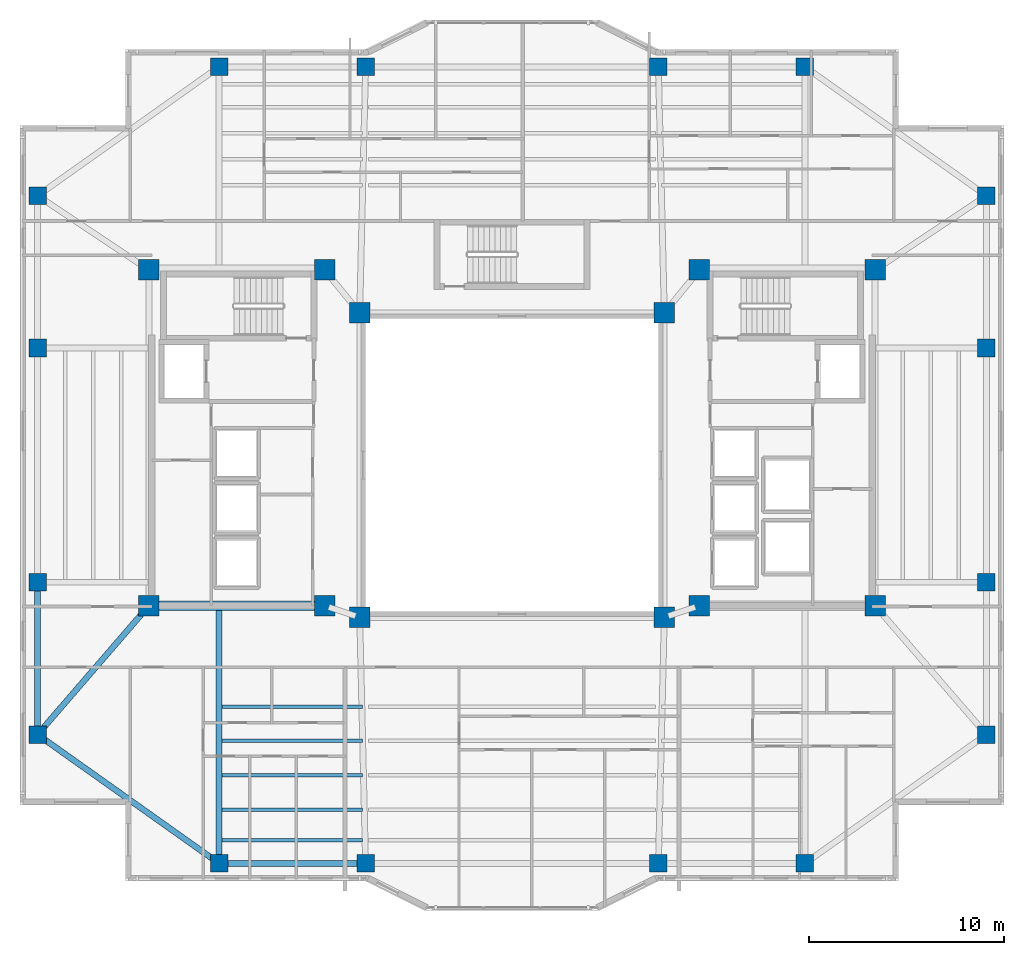
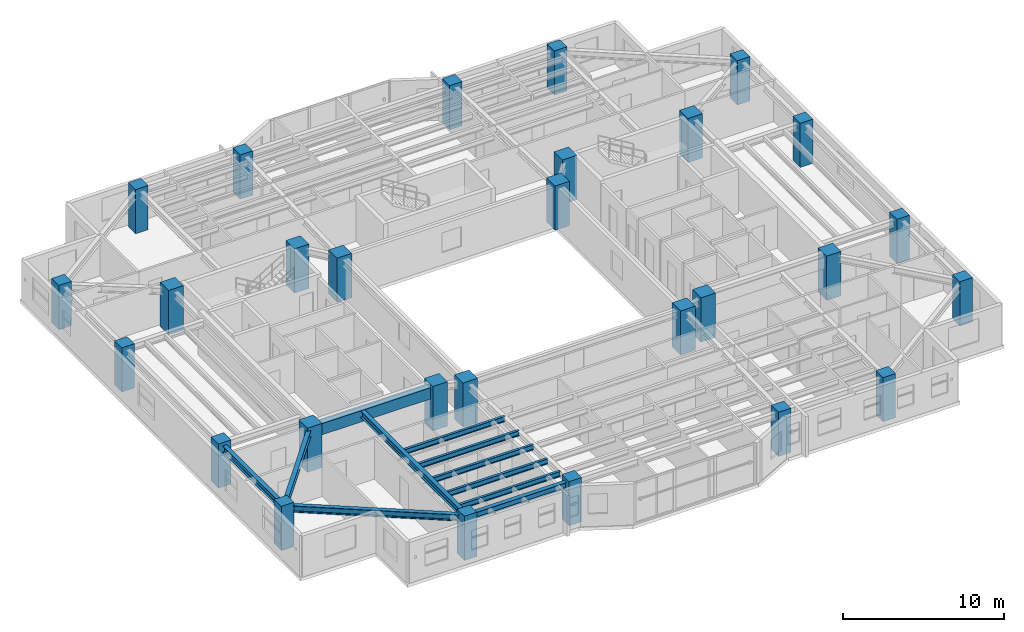
# One storey, part 1 of 16: 28 columns, 11 beams.
"""IFC4 building model written with IfcOpenShell, lengths in metres."""

from ifc_helpers import new_model, si_unit, direction, frame, origin, origin_2d, place, context, subcontext, project, spatial, rectangle, i_section, extrude, material, material_profile, profile_set, type_object, element, save


model = new_model("IFC4")

# Units and contexts
model_context = context("Model", 3, precision=1e-05, world=origin(), true_north=direction((0.0, 1.0)))
body_context = subcontext(model_context, "Body", "Model", "MODEL_VIEW")
ifc_project = project(units=[si_unit("LENGTHUNIT", "METRE"), si_unit("AREAUNIT", "SQUARE_METRE"), si_unit("VOLUMEUNIT", "CUBIC_METRE"), si_unit("PLANEANGLEUNIT", "RADIAN"), si_unit("MASSUNIT", "GRAM", prefix="KILO")], contexts=[model_context])

# Site, building, storey
site_placement = place(None, origin())
site = spatial("IfcSite", under=ifc_project, at=site_placement, CompositionType="ELEMENT")
building_placement = place(site_placement, origin())
building = spatial("IfcBuilding", under=site, at=building_placement, Name="Tarnavaz Court Tower", CompositionType="ELEMENT")
storey_placement = place(building_placement, frame((0.0, 0.0, 146.0)))
storey = spatial("IfcBuildingStorey", under=building, at=storey_placement, Name="L39", CompositionType="ELEMENT", Elevation=146.0)

# Columns
ifc_material_1 = material(Name="Concrete C60/75", Category="concrete")
ifc_material_profile_1 = material_profile(ifc_material_1, rectangle(XDim=1.050048828125, YDim=1.050048828125, at=origin_2d()), Name="RC 1050X1050")
ifc_profile_set_1 = profile_set([ifc_material_profile_1], Name="Concrete C60/75")
column_type_1 = type_object("IfcColumnType", Name="CL-RC1050", PredefinedType="COLUMN", material=ifc_profile_set_1)
for number, where, z_axis, x_axis, name in (
    (1, (-7.800048828125, -7.800048828125, 0.0), (0.0, 0.0, 1.0), (1.0, 0.0, 0.0), "L39 Column IW-SW"),
    (2, (7.800048828125, -7.800048828125, 0.0), (0.0, 0.0, 1.0), (1.0, 0.0, 0.0), "L39 Column IW-SE"),
    (3, (-7.800048828125, 7.800048828125, 0.0), (0.0, 0.0, 1.0), (1.0, 0.0, 0.0), "L39 Column IW-NW"),
    (4, (7.800048828125, 7.800048828125, 0.0), (0.0, 0.0, 1.0), (1.0, 0.0, 0.0), "L39 Column IW-NE"),
    (5, (-9.60009765625, -7.199951171875, 0.0), (0.0, 0.0, 1.0), (1.0, 0.0, 0.0), "L39 Column CW-SI"),
    (6, (-9.60009765625, 10.0, 0.0), (0.0, 0.0, 1.0), (1.0, 0.0, 0.0), "L39 Column CW-NI"),
    (7, (9.60009765625, -7.199951171875, 0.0), (0.0, 0.0, 1.0), (1.0, 0.0, 0.0), "L39 Column CE-SI"),
    (8, (9.60009765625, 10.0, 0.0), (0.0, 0.0, 1.0), (1.0, 0.0, 0.0), "L39 Column CE-NI"),
    (9, (-18.60009765625, -7.199951171875, 0.0), (0.0, 0.0, 1.0), (1.0, 0.0, 0.0), "L39 Column CW-SO"),
    (10, (-18.60009765625, 10.0, 0.0), (0.0, 0.0, 1.0), (1.0, 0.0, 0.0), "L39 Column CW-NO"),
    (11, (18.60009765625, -7.199951171875, 0.0), (0.0, 0.0, 1.0), (1.0, 0.0, 0.0), "L39 Column CE-SO"),
    (12, (18.60009765625, 10.0, 0.0), (0.0, 0.0, 1.0), (1.0, 0.0, 0.0), "L39 Column CE-NO"),
):
    element("IfcColumn", number, at=place(storey_placement, frame(where, z_axis=z_axis, x_axis=x_axis)), inside=storey, type_object=column_type_1, Name=name, PredefinedType="COLUMN", context=body_context, shape_type="SweptSolid", body=[
        extrude(rectangle(XDim=1.050048828125, YDim=1.050048828125, at=origin_2d()), origin(), (0.0, 0.0, 1.0), 3.35009765625),
    ])
ifc_material_2 = material(Name="Concrete C50/60", Category="concrete")
ifc_material_profile_2 = material_profile(ifc_material_2, rectangle(XDim=0.89990234375, YDim=0.89990234375, at=origin_2d()), Name="RC 900X900")
ifc_profile_set_2 = profile_set([ifc_material_profile_2], Name="Concrete C50/60")
column_type_2 = type_object("IfcColumnType", Name="CL-RC900", PredefinedType="COLUMN", material=ifc_profile_set_2)
for number, where, z_axis, x_axis, name in (
    (13, (-15.0, 20.39990234375, 0.0), (0.0, 0.0, 1.0), (1.0, 0.0, 0.0), "L39 Column PN-1"),
    (14, (-7.5, 20.39990234375, 0.0), (0.0, 0.0, 1.0), (1.0, 0.0, 0.0), "L39 Column PN-2"),
    (15, (7.5, 20.39990234375, 0.0), (0.0, 0.0, 1.0), (1.0, 0.0, 0.0), "L39 Column PN-3"),
    (16, (15.0, 20.39990234375, 0.0), (0.0, 0.0, 1.0), (1.0, 0.0, 0.0), "L39 Column PN-4"),
    (17, (-15.0, -20.39990234375, 0.0), (0.0, 0.0, 1.0), (1.0, 0.0, 0.0), "L39 Column PS-1"),
    (18, (-7.5, -20.39990234375, 0.0), (0.0, 0.0, 1.0), (1.0, 0.0, 0.0), "L39 Column PS-2"),
    (19, (7.5, -20.39990234375, 0.0), (0.0, 0.0, 1.0), (1.0, 0.0, 0.0), "L39 Column PS-3"),
    (20, (15.0, -20.39990234375, 0.0), (0.0, 0.0, 1.0), (1.0, 0.0, 0.0), "L39 Column PS-4"),
    (21, (24.300048828125, -13.800048828125, 0.0), (0.0, 0.0, 1.0), (1.0, 0.0, 0.0), "L39 Column PE-1"),
    (22, (24.300048828125, -6.0, 0.0), (0.0, 0.0, 1.0), (1.0, 0.0, 0.0), "L39 Column PE-2"),
    (23, (24.300048828125, 6.0, 0.0), (0.0, 0.0, 1.0), (1.0, 0.0, 0.0), "L39 Column PE-3"),
    (24, (24.300048828125, 13.800048828125, 0.0), (0.0, 0.0, 1.0), (1.0, 0.0, 0.0), "L39 Column PE-4"),
    (25, (-24.300048828125, -13.800048828125, 0.0), (0.0, 0.0, 1.0), (1.0, 0.0, 0.0), "L39 Column PW-1"),
    (26, (-24.300048828125, -6.0, 0.0), (0.0, 0.0, 1.0), (1.0, 0.0, 0.0), "L39 Column PW-2"),
    (27, (-24.300048828125, 6.0, 0.0), (0.0, 0.0, 1.0), (1.0, 0.0, 0.0), "L39 Column PW-3"),
    (28, (-24.300048828125, 13.800048828125, 0.0), (0.0, 0.0, 1.0), (1.0, 0.0, 0.0), "L39 Column PW-4"),
):
    element("IfcColumn", number, at=place(storey_placement, frame(where, z_axis=z_axis, x_axis=x_axis)), inside=storey, type_object=column_type_2, Name=name, PredefinedType="COLUMN", context=body_context, shape_type="SweptSolid", body=[
        extrude(rectangle(XDim=0.89990234375, YDim=0.89990234375, at=origin_2d()), origin(), (0.0, 0.0, 1.0), 3.35009765625),
    ])

# Beams
ifc_material_profile_3 = material_profile(ifc_material_2, rectangle(XDim=0.5, YDim=0.85009765625, at=origin_2d()), Name="RC 500X850")
ifc_profile_set_3 = profile_set([ifc_material_profile_3], Name="Concrete C50/60")
beam_type_1 = type_object("IfcBeamType", Name="BM-CB850", PredefinedType="LINTEL", material=ifc_profile_set_3)
beam_1_placement = place(storey_placement, frame((-18.3798828125, -7.199951171875, 2.675048828125), z_axis=(1.0, 0.0, 0.0), x_axis=(0.0, 1.0, 0.0)))
element("IfcBeam", 29, at=beam_1_placement, inside=storey, type_object=beam_type_1, Name="L39 Beam IN-CW-SO-CW-SI", PredefinedType="LINTEL", context=body_context, shape_type="SweptSolid", body=[
    extrude(rectangle(XDim=0.5, YDim=0.85009765625, at=origin_2d()), origin(), (0.0, 0.0, 1.0), 8.559814453125),
])
ifc_material_3 = material(Name="Steel S355", Category="steel")
ifc_material_profile_4 = material_profile(ifc_material_3, i_section(OverallWidth=0.300048828125, OverallDepth=0.5, WebThickness=0.014404296875, FlangeThickness=0.028076171875, FilletRadius=0.027099609375, at=origin_2d()), Name="HEB 500")
ifc_profile_set_4 = profile_set([ifc_material_profile_4], Name="Steel S355")
beam_type_2 = type_object("IfcBeamType", Name="BM-G-HEB500", PredefinedType="USERDEFINED", material=ifc_profile_set_4)
beam_2_placement = place(storey_placement, frame((-15.0, -7.239990234375, 2.85009765625), z_axis=(0.0, -1.0, 0.0), x_axis=(1.0, 0.0, 0.0)))
element("IfcBeam", 30, at=beam_2_placement, inside=storey, type_object=beam_type_2, Name="L39 Beam RG-05", ObjectType="GIRDER", PredefinedType="USERDEFINED", context=body_context, shape_type="SweptSolid", body=[
    extrude(i_section(OverallWidth=0.300048828125, OverallDepth=0.5, WebThickness=0.014404296875, FlangeThickness=0.028076171875, FilletRadius=0.027099609375, at=origin_2d()), origin(), (0.0, 0.0, 1.0), 12.93994140625),
])
beam_3_placement = place(storey_placement, frame((-18.743896484375, -7.366455078125, 2.85009765625), z_axis=(-0.653610659012, -0.756830962914, 0.0), x_axis=(0.756830962914, -0.653610659012, 0.0)))
element("IfcBeam", 31, at=beam_3_placement, inside=storey, type_object=beam_type_2, Name="L39 Beam RG-15", ObjectType="GIRDER", PredefinedType="USERDEFINED", context=body_context, shape_type="SweptSolid", body=[
    extrude(i_section(OverallWidth=0.300048828125, OverallDepth=0.5, WebThickness=0.014404296875, FlangeThickness=0.028076171875, FilletRadius=0.027099609375, at=origin_2d()), origin(), (0.0, 0.0, 1.0), 8.28076171875),
])
ifc_material_profile_5 = material_profile(ifc_material_3, i_section(OverallWidth=0.179931640625, OverallDepth=0.39990234375, WebThickness=0.008544921875, FlangeThickness=0.013427734375, FilletRadius=0.02099609375, at=origin_2d()), Name="IPE 400")
ifc_profile_set_5 = profile_set([ifc_material_profile_5], Name="Steel S355")
beam_type_3 = type_object("IfcBeamType", Name="BM-J-IPE400", PredefinedType="JOIST", material=ifc_profile_set_5)
for number, where, z_axis, x_axis, name in (
    (32, (-14.85009765625, -12.364013671875, 2.89990234375), (1.0, 0.0, 0.0), (0.0, 1.0, 0.0), "L39 Beam JS1-1"),
    (33, (-14.85009765625, -14.1279296875, 2.89990234375), (1.0, 0.0, 0.0), (0.0, 1.0, 0.0), "L39 Beam JS2-1"),
    (34, (-14.85009765625, -15.89208984375, 2.89990234375), (1.0, 0.0, 0.0), (0.0, 1.0, 0.0), "L39 Beam JS3-1"),
    (35, (-14.85009765625, -17.656005859375, 2.89990234375), (1.0, 0.0, 0.0), (0.0, 1.0, 0.0), "L39 Beam JS4-1"),
    (36, (-14.85009765625, -19.22412109375, 2.89990234375), (1.0, 0.0, 0.0), (0.0, 1.0, 0.0), "L39 Beam JS5-1"),
):
    element("IfcBeam", number, at=place(storey_placement, frame(where, z_axis=z_axis, x_axis=x_axis)), inside=storey, type_object=beam_type_3, Name=name, PredefinedType="JOIST", context=body_context, shape_type="SweptSolid", body=[
        extrude(i_section(OverallWidth=0.179931640625, OverallDepth=0.39990234375, WebThickness=0.008544921875, FlangeThickness=0.013427734375, FilletRadius=0.02099609375, at=origin_2d()), origin(), (0.0, 0.0, 1.0), 7.2001953125),
    ])
ifc_material_profile_6 = material_profile(ifc_material_3, i_section(OverallWidth=0.300048828125, OverallDepth=0.489990234375, WebThickness=0.011962890625, FlangeThickness=0.02294921875, FilletRadius=0.027099609375, at=origin_2d()), Name="HEA 500")
ifc_profile_set_6 = profile_set([ifc_material_profile_6], Name="Steel S355")
beam_type_4 = type_object("IfcBeamType", Name="BM-SP-HEA500", PredefinedType="SPANDREL", material=ifc_profile_set_6)
beam_4_placement = place(storey_placement, frame((-14.780029296875, -20.39990234375, 2.85498046875), z_axis=(1.0, 0.0, 0.0), x_axis=(0.0, 1.0, 0.0)))
element("IfcBeam", 37, at=beam_4_placement, inside=storey, type_object=beam_type_4, Name="L39 Beam PR-PS-1-PS-2", PredefinedType="SPANDREL", context=body_context, shape_type="SweptSolid", body=[
    extrude(i_section(OverallWidth=0.300048828125, OverallDepth=0.489990234375, WebThickness=0.011962890625, FlangeThickness=0.02294921875, FilletRadius=0.027099609375, at=origin_2d()), origin(), (0.0, 0.0, 1.0), 7.06005859375),
])
beam_5_placement = place(storey_placement, frame((-24.300048828125, -13.580078125, 2.85498046875), z_axis=(0.0, 1.0, 0.0), x_axis=(-1.0, 0.0, 0.0)))
element("IfcBeam", 38, at=beam_5_placement, inside=storey, type_object=beam_type_4, Name="L39 Beam PR-PW-1-PW-2", PredefinedType="SPANDREL", context=body_context, shape_type="SweptSolid", body=[
    extrude(i_section(OverallWidth=0.300048828125, OverallDepth=0.489990234375, WebThickness=0.011962890625, FlangeThickness=0.02294921875, FilletRadius=0.027099609375, at=origin_2d()), origin(), (0.0, 0.0, 1.0), 7.360107421875),
])
beam_6_placement = place(storey_placement, frame((-15.179443359375, -20.272705078125, 2.85498046875), z_axis=(-0.815502059396, 0.57875417158, 0.0), x_axis=(-0.57875417158, -0.815502059396, 0.0)))
element("IfcBeam", 39, at=beam_6_placement, inside=storey, type_object=beam_type_4, Name="L39 Beam PR-PS-1-PW-1", PredefinedType="SPANDREL", context=body_context, shape_type="SweptSolid", body=[
    extrude(i_section(OverallWidth=0.300048828125, OverallDepth=0.489990234375, WebThickness=0.011962890625, FlangeThickness=0.02294921875, FilletRadius=0.027099609375, at=origin_2d()), origin(), (0.0, 0.0, 1.0), 10.964111328125),
])

save(model, "model.ifc")
